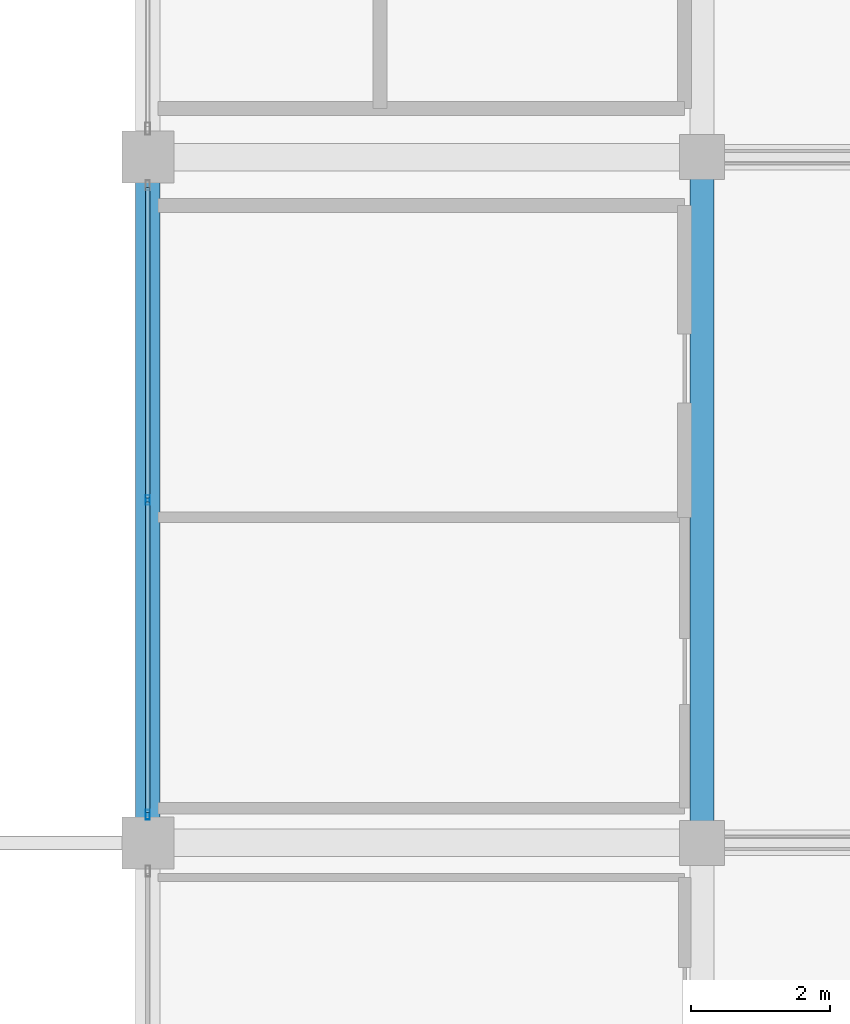
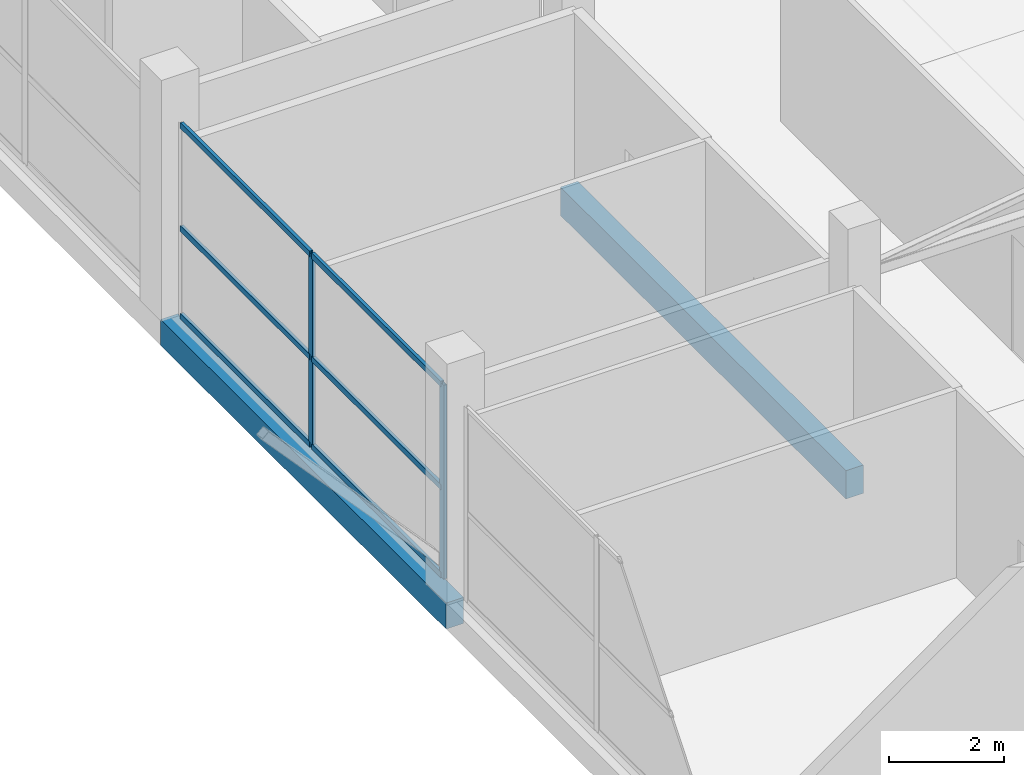
# One storey, part 21 of 67: 8 members, 2 beams, 1 element without a shape of its own.
"""IFC4 building model written with IfcOpenShell, lengths in metres."""

from ifc_helpers import new_model, si_unit, direction, frame, origin, origin_2d, place, context, subcontext, project, spatial, rectangle, hollow_rectangle, extrude, material, layer, layer_set, material_profile, profile_set, type_object, element, aggregate, save


model = new_model("IFC4")

# Units and contexts
model_context = context("Model", 3, precision=1e-05, world=origin(), true_north=direction((0.0, 1.0)))
body_context = subcontext(model_context, "Body", "Model", "MODEL_VIEW")
ifc_project = project(units=[si_unit("LENGTHUNIT", "METRE"), si_unit("AREAUNIT", "SQUARE_METRE"), si_unit("VOLUMEUNIT", "CUBIC_METRE"), si_unit("PLANEANGLEUNIT", "RADIAN"), si_unit("MASSUNIT", "GRAM", prefix="KILO")], contexts=[model_context])

# Site, building, storey
site_placement = place(None, origin())
site = spatial("IfcSite", under=ifc_project, at=site_placement, CompositionType="ELEMENT")
building_placement = place(site_placement, origin())
building = spatial("IfcBuilding", under=site, at=building_placement, Name="Sillaruma Civic Art Gallery", CompositionType="ELEMENT")
storey_placement = place(building_placement, frame((0.0, 0.0, 46.919921875)))
storey = spatial("IfcBuildingStorey", under=building, at=storey_placement, Name="L09", CompositionType="ELEMENT", Elevation=46.919921875)

# Beams
ifc_material_1 = material(Name="Concrete H35 (35 MPa)", Category="concrete")
ifc_material_profile_1 = material_profile(ifc_material_1, rectangle(XDim=0.35009765625, YDim=0.60009765625, at=origin_2d()), Name="RCB350x600")
ifc_profile_set_1 = profile_set([ifc_material_profile_1], Name="Concrete H35 (35 MPa)")
beam_type_1 = type_object("IfcBeamType", Name="BM-BEAM-RCB350x600", PredefinedType="BEAM", material=ifc_profile_set_1)
beam_1_placement = place(storey_placement, frame((70.0, 59.39990234375, -0.5498046875), z_axis=(0.0, 1.0, 0.0), x_axis=(-1.0, 0.0, 0.0)))
element("IfcBeam", 1, at=beam_1_placement, inside=storey, type_object=beam_type_1, Name="Beam BM-06 (L08:G:7-8)", PredefinedType="BEAM", context=body_context, shape_type="SweptSolid", body=[
    extrude(rectangle(XDim=0.35009765625, YDim=0.60009765625, at=origin_2d()), origin(), (0.0, 0.0, 1.0), 9.900146484375),
])
ifc_material_profile_2 = material_profile(ifc_material_1, rectangle(XDim=0.35009765625, YDim=0.550048828125, at=origin_2d()), Name="RCB350x550")
ifc_profile_set_2 = profile_set([ifc_material_profile_2], Name="Concrete H35 (35 MPa)")
beam_type_2 = type_object("IfcBeamType", Name="BM-SPANDREL-RCB350x550", PredefinedType="SPANDREL", material=ifc_profile_set_2)
beam_2_placement = place(storey_placement, frame((62.0, 59.39990234375, -0.52490234375), z_axis=(0.0, 1.0, 0.0), x_axis=(-1.0, 0.0, 0.0)))
element("IfcBeam", 2, at=beam_2_placement, inside=storey, type_object=beam_type_2, Name="Beam BS-04 (L08:F:7-8)", PredefinedType="SPANDREL", context=body_context, shape_type="SweptSolid", body=[
    extrude(rectangle(XDim=0.35009765625, YDim=0.550048828125, at=origin_2d()), origin(), (0.0, 0.0, 1.0), 9.900146484375),
])

# Curtain wall, members
ifc_material_2 = material(Name="Thermally Broken Extruded Aluminium 6063-T6", Category="aluminium")
ifc_layer = layer(ifc_material_2, 0.139892578125, Name="Thermally Broken Extruded Aluminium 6063-T6")
ifc_layer_set = layer_set([ifc_layer], Name="Thermally Broken Extruded Aluminium 6063-T6")
curtain_wall_type = type_object("IfcCurtainWallType", Name="CW-UNI-64", PredefinedType="NOTDEFINED", material=ifc_layer_set)
curtain_wall_placement = place(storey_placement, origin())
curtain_wall = element("IfcCurtainWall", 3, at=curtain_wall_placement, inside=storey, type_object=curtain_wall_type, Name="Unitised Curtain Wall CW-64 (CW-L09-WBW-5)", PredefinedType="NOTDEFINED")
ifc_material_profile_3 = material_profile(ifc_material_2, hollow_rectangle(XDim=0.06005859375, YDim=0.139892578125, WallThickness=0.00341796875, at=origin_2d()), Name="CWM60x140")
ifc_profile_set_3 = profile_set([ifc_material_profile_3], Name="Thermally Broken Extruded Aluminium 6063-T6")
member_type_1 = type_object("IfcMemberType", Name="MEM-MUL-CWM60x140", PredefinedType="MULLION", material=ifc_profile_set_3)
member_1_placement = place(storey_placement, frame((62.0, 59.804931640625, 0.0), z_axis=(0.0, 0.0, 1.0), x_axis=(-1.0, 0.0, 0.0)))
member_1 = element("IfcMember", 4, at=member_1_placement, type_object=member_type_1, Name="CW-64 mullion 1", PredefinedType="MULLION", context=body_context, shape_type="SweptSolid", body=[
    extrude(hollow_rectangle(XDim=0.06005859375, YDim=0.139892578125, WallThickness=0.00341796875, at=origin_2d()), origin(), (0.0, 0.0, 1.0), 4.10009765625),
])
member_2_placement = place(storey_placement, frame((62.0, 64.35009765625, 0.0), z_axis=(0.0, 0.0, 1.0), x_axis=(-1.0, 0.0, 0.0)))
member_2 = element("IfcMember", 5, at=member_2_placement, type_object=member_type_1, Name="CW-64 mullion 2", PredefinedType="MULLION", context=body_context, shape_type="SweptSolid", body=[
    extrude(hollow_rectangle(XDim=0.06005859375, YDim=0.139892578125, WallThickness=0.00341796875, at=origin_2d()), origin(), (0.0, 0.0, 1.0), 4.10009765625),
])
ifc_material_profile_4 = material_profile(ifc_material_2, hollow_rectangle(XDim=0.06494140625, YDim=0.1201171875, WallThickness=0.00341796875, at=origin_2d()), Name="CWT65x120")
ifc_profile_set_4 = profile_set([ifc_material_profile_4], Name="Thermally Broken Extruded Aluminium 6063-T6")
member_type_2 = type_object("IfcMemberType", Name="MEM-TRN-CWT65x120", PredefinedType="USERDEFINED", material=ifc_profile_set_4)
member_3_placement = place(storey_placement, frame((62.0, 59.8349609375, 0.032470703125), z_axis=(0.0, 1.0, 0.0), x_axis=(-1.0, 0.0, 0.0)))
member_3 = element("IfcMember", 6, at=member_3_placement, type_object=member_type_2, Name="CW-64 transom 1.1", ObjectType="TRANSOM", PredefinedType="USERDEFINED", context=body_context, shape_type="SweptSolid", body=[
    extrude(hollow_rectangle(XDim=0.06494140625, YDim=0.1201171875, WallThickness=0.00341796875, at=origin_2d()), origin(), (0.0, 0.0, 1.0), 4.485107421875),
])
member_4_placement = place(storey_placement, frame((62.0, 59.8349609375, 1.885986328125), z_axis=(0.0, 1.0, 0.0), x_axis=(-1.0, 0.0, 0.0)))
member_4 = element("IfcMember", 7, at=member_4_placement, type_object=member_type_2, Name="CW-64 transom 1.2", ObjectType="TRANSOM", PredefinedType="USERDEFINED", context=body_context, shape_type="SweptSolid", body=[
    extrude(hollow_rectangle(XDim=0.06494140625, YDim=0.1201171875, WallThickness=0.00341796875, at=origin_2d()), origin(), (0.0, 0.0, 1.0), 4.485107421875),
])
member_5_placement = place(storey_placement, frame((62.0, 59.8349609375, 4.067626953125), z_axis=(0.0, 1.0, 0.0), x_axis=(-1.0, 0.0, 0.0)))
member_5 = element("IfcMember", 8, at=member_5_placement, type_object=member_type_2, Name="CW-64 transom 1.3", ObjectType="TRANSOM", PredefinedType="USERDEFINED", context=body_context, shape_type="SweptSolid", body=[
    extrude(hollow_rectangle(XDim=0.06494140625, YDim=0.1201171875, WallThickness=0.00341796875, at=origin_2d()), origin(), (0.0, 0.0, 1.0), 4.485107421875),
])
member_6_placement = place(storey_placement, frame((62.0, 64.3798828125, 0.032470703125), z_axis=(0.0, 1.0, 0.0), x_axis=(-1.0, 0.0, 0.0)))
member_6 = element("IfcMember", 9, at=member_6_placement, type_object=member_type_2, Name="CW-64 transom 2.1", ObjectType="TRANSOM", PredefinedType="USERDEFINED", context=body_context, shape_type="SweptSolid", body=[
    extrude(hollow_rectangle(XDim=0.06494140625, YDim=0.1201171875, WallThickness=0.00341796875, at=origin_2d()), origin(), (0.0, 0.0, 1.0), 4.485107421875),
])
member_7_placement = place(storey_placement, frame((62.0, 64.3798828125, 1.885986328125), z_axis=(0.0, 1.0, 0.0), x_axis=(-1.0, 0.0, 0.0)))
member_7 = element("IfcMember", 10, at=member_7_placement, type_object=member_type_2, Name="CW-64 transom 2.2", ObjectType="TRANSOM", PredefinedType="USERDEFINED", context=body_context, shape_type="SweptSolid", body=[
    extrude(hollow_rectangle(XDim=0.06494140625, YDim=0.1201171875, WallThickness=0.00341796875, at=origin_2d()), origin(), (0.0, 0.0, 1.0), 4.485107421875),
])
member_8_placement = place(storey_placement, frame((62.0, 64.3798828125, 4.067626953125), z_axis=(0.0, 1.0, 0.0), x_axis=(-1.0, 0.0, 0.0)))
member_8 = element("IfcMember", 11, at=member_8_placement, type_object=member_type_2, Name="CW-64 transom 2.3", ObjectType="TRANSOM", PredefinedType="USERDEFINED", context=body_context, shape_type="SweptSolid", body=[
    extrude(hollow_rectangle(XDim=0.06494140625, YDim=0.1201171875, WallThickness=0.00341796875, at=origin_2d()), origin(), (0.0, 0.0, 1.0), 4.485107421875),
])
aggregate(curtain_wall, [member_1, member_2, member_3, member_4, member_5, member_6, member_7, member_8])

save(model, "model.ifc")
